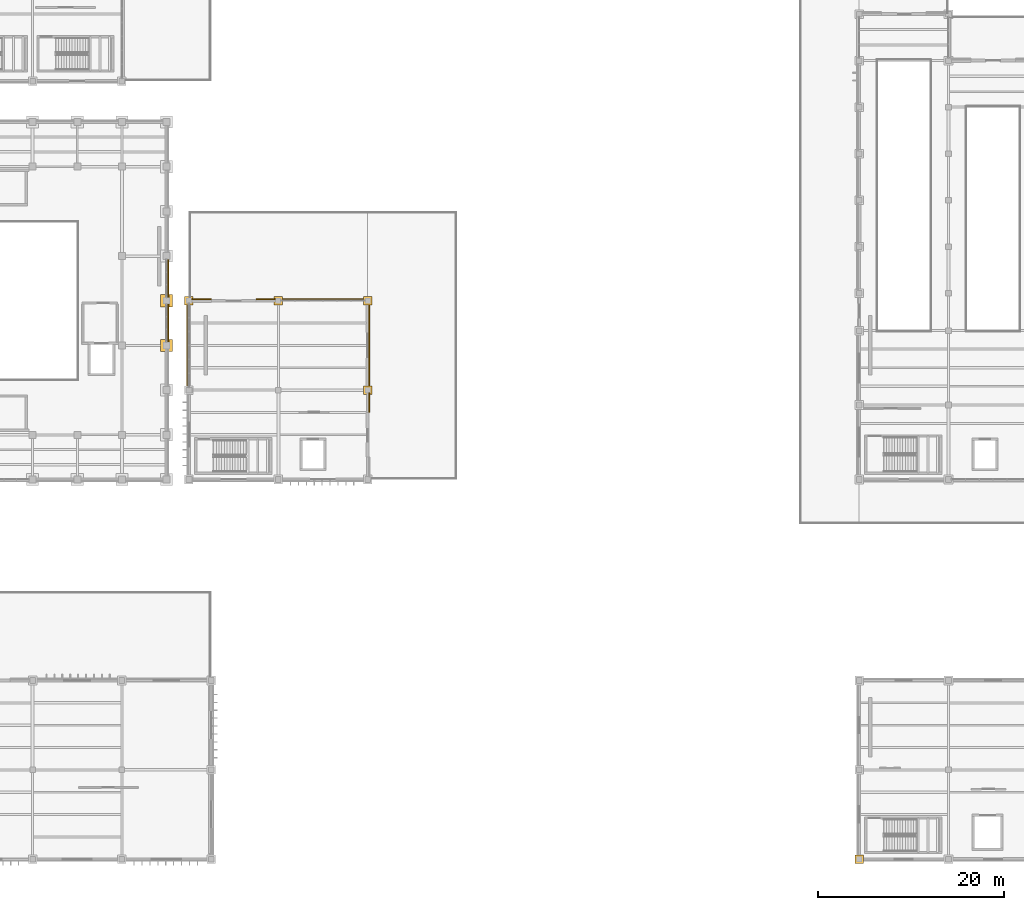
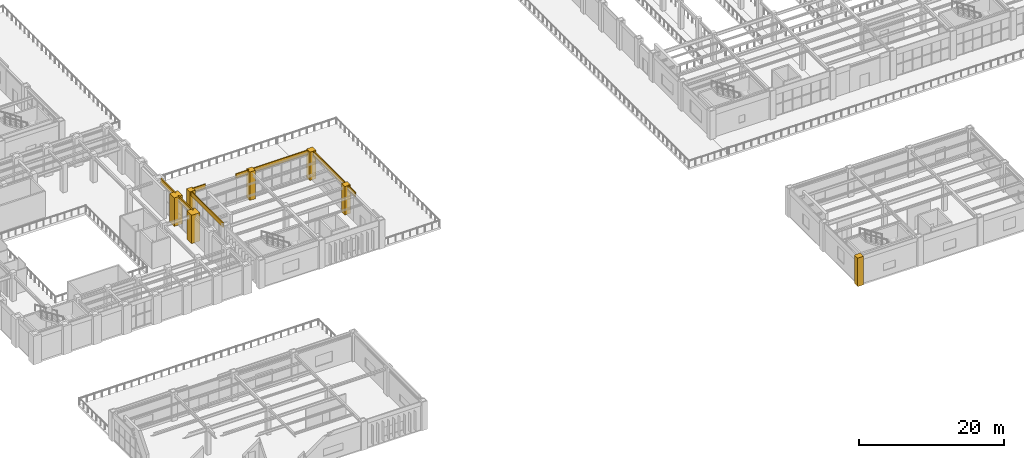
# One storey, part 71 of 83: 15 coverings.
"""IFC4 building model written with IfcOpenShell, lengths in metres."""

from ifc_helpers import new_model, si_unit, direction, frame, origin, place, context, subcontext, project, spatial, polyline, outline, extrude, material, layer, layer_set, type_object, element, save


model = new_model("IFC4")

# Units and contexts
model_context = context("Model", 3, precision=1e-05, world=origin(), true_north=direction((0.0, 1.0)))
body_context = subcontext(model_context, "Body", "Model", "MODEL_VIEW")
ifc_project = project(units=[si_unit("LENGTHUNIT", "METRE"), si_unit("AREAUNIT", "SQUARE_METRE"), si_unit("VOLUMEUNIT", "CUBIC_METRE"), si_unit("PLANEANGLEUNIT", "RADIAN"), si_unit("MASSUNIT", "GRAM", prefix="KILO")], contexts=[model_context])

# Site, building, storey
site_placement = place(None, origin())
site = spatial("IfcSite", under=ifc_project, at=site_placement, CompositionType="ELEMENT")
building_placement = place(site_placement, origin())
building = spatial("IfcBuilding", under=site, at=building_placement, Name="Mavantir Sound Aquarium", CompositionType="ELEMENT")
storey_placement = place(building_placement, frame((0.0, 0.0, 10.5)))
storey = spatial("IfcBuildingStorey", under=building, at=storey_placement, Name="L02", CompositionType="ELEMENT", Elevation=10.5)

# Coverings
ifc_material = material(Name="Honed Coral-Limestone & Glazed Terracotta Rainscreen Cladding", Category="masonry")
ifc_layer = layer(ifc_material, 0.06005859375, Name="Honed Coral-Limestone & Glazed Terracotta Rainscreen Cladding")
ifc_layer_set = layer_set([ifc_layer], Name="Honed Coral-Limestone & Glazed Terracotta Rainscreen Cladding")
covering_type = type_object("IfcCoveringType", Name="COV-CLAD-TC", PredefinedType="CLADDING", material=ifc_layer_set)
covering_1_placement = place(storey_placement, frame((0.0, 0.0, 4.008056640625)))
element("IfcCovering", 1, at=covering_1_placement, inside=storey, type_object=covering_type, Name="L02 Postmodern coral-limestone spandrel frieze 288", PredefinedType="CLADDING", context=body_context, shape_type="SweptSolid", body=[
    extrude(outline(polyline([(33.68994140625, 55.5830078125), (33.68994140625, 59.616943359375), (33.840087890625, 59.616943359375), (33.840087890625, 55.5830078125), (33.68994140625, 55.5830078125)])), origin(), (0.0, 0.0, 1.0), 0.7919921875),
])
covering_2_placement = place(storey_placement, frame((0.0, 0.0, 4.008056640625)))
element("IfcCovering", 2, at=covering_2_placement, inside=storey, type_object=covering_type, Name="L02 Postmodern coral-limestone spandrel frieze 289", PredefinedType="CLADDING", context=body_context, shape_type="SweptSolid", body=[
    extrude(outline(polyline([(33.68994140625, 60.383056640625), (33.68994140625, 64.4169921875), (33.840087890625, 64.4169921875), (33.840087890625, 60.383056640625), (33.68994140625, 60.383056640625)])), origin(), (0.0, 0.0, 1.0), 0.7919921875),
])
covering_3_placement = place(storey_placement, frame((0.0, 0.0, 4.01904296875)))
element("IfcCovering", 3, at=covering_3_placement, inside=storey, type_object=covering_type, Name="L02 Postmodern coral-limestone spandrel frieze 315", PredefinedType="CLADDING", context=body_context, shape_type="SweptSolid", body=[
    extrude(outline(polyline([(55.2900390625, 48.0048828125), (55.2900390625, 50.092041015625), (55.43994140625, 50.092041015625), (55.43994140625, 48.0048828125), (55.2900390625, 48.0048828125)])), origin(), (0.0, 0.0, 1.0), 0.781005859375),
])
covering_4_placement = place(storey_placement, frame((0.0, 0.0, 3.97900390625)))
element("IfcCovering", 4, at=covering_4_placement, inside=storey, type_object=covering_type, Name="L02 Postmodern coral-limestone spandrel frieze 316", PredefinedType="CLADDING", context=body_context, shape_type="SweptSolid", body=[
    extrude(outline(polyline([(55.2900390625, 50.7080078125), (55.2900390625, 59.69189453125), (55.43994140625, 59.69189453125), (55.43994140625, 50.7080078125), (55.2900390625, 50.7080078125)])), origin(), (0.0, 0.0, 1.0), 0.821044921875),
])
covering_5_placement = place(storey_placement, frame((0.0, 0.0, 4.087890625)))
element("IfcCovering", 5, at=covering_5_placement, inside=storey, type_object=covering_type, Name="L02 Postmodern coral-limestone spandrel frieze 317", PredefinedType="CLADDING", context=body_context, shape_type="SweptSolid", body=[
    extrude(outline(polyline([(54.89208984375, 60.090087890625), (45.907958984375, 60.090087890625), (45.907958984375, 60.239990234375), (54.89208984375, 60.239990234375), (54.89208984375, 60.090087890625)])), origin(), (0.0, 0.0, 1.0), 0.712158203125),
])
covering_6_placement = place(storey_placement, frame((0.0, 0.0, 4.087890625)))
element("IfcCovering", 6, at=covering_6_placement, inside=storey, type_object=covering_type, Name="L02 Postmodern coral-limestone spandrel frieze 318", PredefinedType="CLADDING", context=body_context, shape_type="SweptSolid", body=[
    extrude(outline(polyline([(45.2919921875, 60.090087890625), (43.205078125, 60.090087890625), (43.205078125, 60.239990234375), (45.2919921875, 60.239990234375), (45.2919921875, 60.090087890625)])), origin(), (0.0, 0.0, 1.0), 0.712158203125),
])
covering_7_placement = place(storey_placement, frame((0.0, 0.0, 4.087890625)))
element("IfcCovering", 7, at=covering_7_placement, inside=storey, type_object=covering_type, Name="L02 Postmodern coral-limestone spandrel frieze 319", PredefinedType="CLADDING", context=body_context, shape_type="SweptSolid", body=[
    extrude(outline(polyline([(38.39501953125, 60.090087890625), (36.30810546875, 60.090087890625), (36.30810546875, 60.239990234375), (38.39501953125, 60.239990234375), (38.39501953125, 60.090087890625)])), origin(), (0.0, 0.0, 1.0), 0.712158203125),
])
covering_8_placement = place(storey_placement, frame((0.0, 0.0, 4.04296875)))
element("IfcCovering", 8, at=covering_8_placement, inside=storey, type_object=covering_type, Name="L02 Postmodern coral-limestone spandrel frieze 320", PredefinedType="CLADDING", context=body_context, shape_type="SweptSolid", body=[
    extrude(outline(polyline([(35.909912109375, 59.69189453125), (35.909912109375, 50.7080078125), (35.760009765625, 50.7080078125), (35.760009765625, 59.69189453125), (35.909912109375, 59.69189453125)])), origin(), (0.0, 0.0, 1.0), 0.757080078125),
])
covering_9_placement = place(storey_placement, origin())
element("IfcCovering", 9, at=covering_9_placement, inside=storey, type_object=covering_type, Name="L02 Postmodern coral-limestone pilaster casing 99", PredefinedType="CLADDING", context=body_context, shape_type="SweptSolid", body=[
    extrude(outline(polyline([(32.949951171875, 54.550048828125), (34.25, 54.550048828125), (34.25, 55.85009765625), (32.949951171875, 55.85009765625), (32.949951171875, 54.550048828125)])), origin(), (0.0, 0.0, 1.0), 4.800048828125),
])
covering_10_placement = place(storey_placement, origin())
element("IfcCovering", 10, at=covering_10_placement, inside=storey, type_object=covering_type, Name="L02 Postmodern coral-limestone pilaster casing 103", PredefinedType="CLADDING", context=body_context, shape_type="SweptSolid", body=[
    extrude(outline(polyline([(32.949951171875, 59.35009765625), (34.25, 59.35009765625), (34.25, 60.64990234375), (32.949951171875, 60.64990234375), (32.949951171875, 59.35009765625)])), origin(), (0.0, 0.0, 1.0), 4.800048828125),
])
covering_11_placement = place(storey_placement, origin())
element("IfcCovering", 11, at=covering_11_placement, inside=storey, type_object=covering_type, Name="L02 Postmodern coral-limestone pilaster casing 131", PredefinedType="CLADDING", context=body_context, shape_type="SweptSolid", body=[
    extrude(outline(polyline([(35.5400390625, 59.5400390625), (36.4599609375, 59.5400390625), (36.4599609375, 60.4599609375), (35.5400390625, 60.4599609375), (35.5400390625, 59.5400390625)])), origin(), (0.0, 0.0, 1.0), 4.800048828125),
])
covering_12_placement = place(storey_placement, origin())
element("IfcCovering", 12, at=covering_12_placement, inside=storey, type_object=covering_type, Name="L02 Postmodern coral-limestone pilaster casing 139", PredefinedType="CLADDING", context=body_context, shape_type="SweptSolid", body=[
    extrude(outline(polyline([(45.139892578125, 59.5400390625), (46.06005859375, 59.5400390625), (46.06005859375, 60.4599609375), (45.139892578125, 60.4599609375), (45.139892578125, 59.5400390625)])), origin(), (0.0, 0.0, 1.0), 4.800048828125),
])
covering_13_placement = place(storey_placement, origin())
element("IfcCovering", 13, at=covering_13_placement, inside=storey, type_object=covering_type, Name="L02 Postmodern coral-limestone pilaster casing 146", PredefinedType="CLADDING", context=body_context, shape_type="SweptSolid", body=[
    extrude(outline(polyline([(54.739990234375, 49.93994140625), (55.659912109375, 49.93994140625), (55.659912109375, 50.860107421875), (54.739990234375, 50.860107421875), (54.739990234375, 49.93994140625)])), origin(), (0.0, 0.0, 1.0), 4.800048828125),
])
covering_14_placement = place(storey_placement, origin())
element("IfcCovering", 14, at=covering_14_placement, inside=storey, type_object=covering_type, Name="L02 Postmodern coral-limestone pilaster casing 148", PredefinedType="CLADDING", context=body_context, shape_type="SweptSolid", body=[
    extrude(outline(polyline([(54.739990234375, 59.5400390625), (55.659912109375, 59.5400390625), (55.659912109375, 60.4599609375), (54.739990234375, 60.4599609375), (54.739990234375, 59.5400390625)])), origin(), (0.0, 0.0, 1.0), 4.800048828125),
])
covering_15_placement = place(storey_placement, origin())
element("IfcCovering", 15, at=covering_15_placement, inside=storey, type_object=covering_type, Name="L02 Postmodern coral-limestone pilaster casing 419", PredefinedType="CLADDING", context=body_context, shape_type="SweptSolid", body=[
    extrude(outline(polyline([(107.5400390625, -0.4599609375), (108.4599609375, -0.4599609375), (108.4599609375, 0.4599609375), (107.5400390625, 0.4599609375), (107.5400390625, -0.4599609375)])), origin(), (0.0, 0.0, 1.0), 4.800048828125),
])

save(model, "model.ifc")
